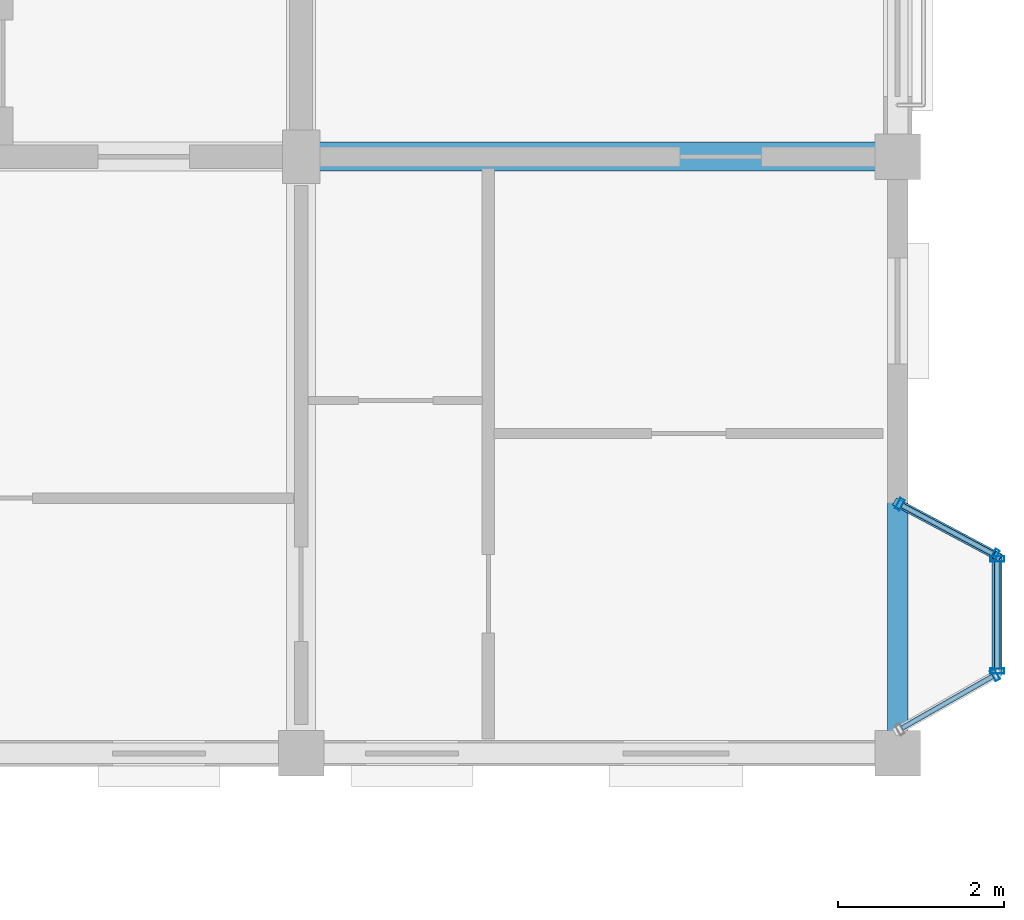
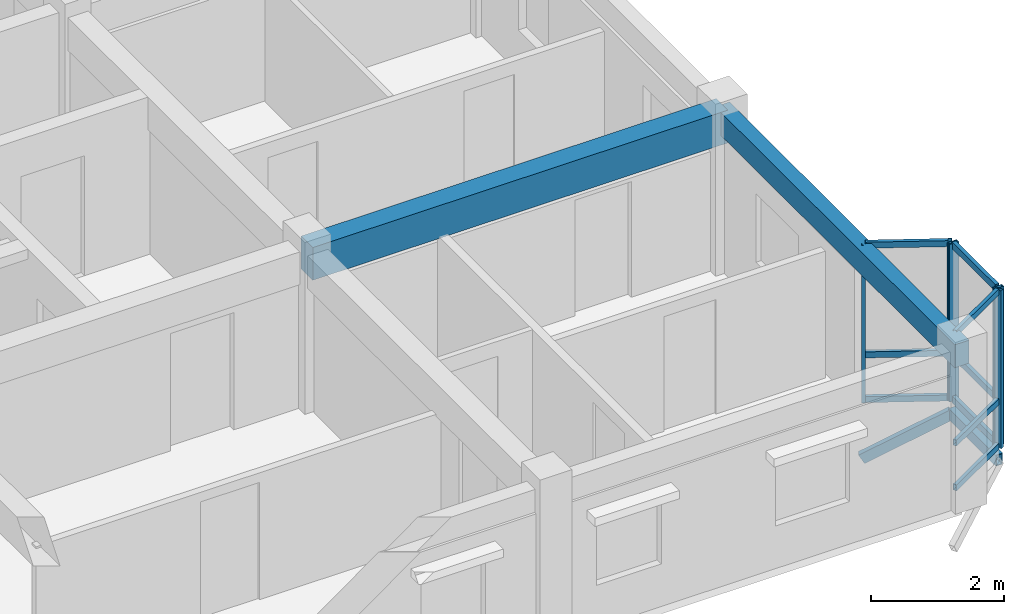
# One storey, part 23 of 75: 16 members, 2 beams, 3 elements without a shape of their own.
"""IFC4 building model written with IfcOpenShell, lengths in metres."""

from ifc_helpers import new_model, si_unit, direction, frame, origin, origin_2d, place, context, subcontext, project, spatial, rectangle, hollow_rectangle, extrude, material, layer, layer_set, material_profile, profile_set, type_object, element, aggregate, save


model = new_model("IFC4")

# Units and contexts
model_context = context("Model", 3, precision=1e-05, world=origin(), true_north=direction((0.0, 1.0)))
body_context = subcontext(model_context, "Body", "Model", "MODEL_VIEW")
ifc_project = project(units=[si_unit("LENGTHUNIT", "METRE"), si_unit("AREAUNIT", "SQUARE_METRE"), si_unit("VOLUMEUNIT", "CUBIC_METRE"), si_unit("PLANEANGLEUNIT", "RADIAN"), si_unit("MASSUNIT", "GRAM", prefix="KILO"), si_unit("THERMODYNAMICTEMPERATUREUNIT", "KELVIN"), si_unit("POWERUNIT", "WATT")], contexts=[model_context])

# Site, building, storey
site_placement = place(None, origin())
site = spatial("IfcSite", under=ifc_project, at=site_placement, CompositionType="ELEMENT")
building_placement = place(site_placement, origin())
building = spatial("IfcBuilding", under=site, at=building_placement, Name="Tavuni Mirador Residences", CompositionType="ELEMENT")
storey_placement = place(building_placement, frame((0.0, 0.0, 20.25)))
storey = spatial("IfcBuildingStorey", under=building, at=storey_placement, Name="L06", CompositionType="ELEMENT", Elevation=20.25)

# Beams
ifc_material_1 = material(Name="Precast concrete C40/50", Category="concrete")
ifc_material_profile_1 = material_profile(ifc_material_1, rectangle(XDim=0.35009765625, YDim=0.60009765625, at=origin_2d()), Name="PC 350x600", Category="concrete")
ifc_profile_set_1 = profile_set([ifc_material_profile_1], Name="Precast concrete C40/50")
beam_type_1 = type_object("IfcBeamType", Name="BT-B600", PredefinedType="BEAM", material=ifc_profile_set_1)
beam_1_placement = place(storey_placement, frame((111.60009765625, 93.60009765625, 2.590087890625), z_axis=(1.0, 0.0, 0.0), x_axis=(0.0, 1.0, 0.0)))
element("IfcBeam", 1, at=beam_1_placement, inside=storey, type_object=beam_type_1, Name="BMX-BLK-D-L06-03-01", PredefinedType="BEAM", context=body_context, shape_type="SweptSolid", body=[
    extrude(rectangle(XDim=0.35009765625, YDim=0.60009765625, at=origin_2d()), origin(), (0.0, 0.0, 1.0), 7.199951171875),
])
ifc_material_profile_2 = material_profile(ifc_material_1, rectangle(XDim=0.25, YDim=0.419921875, at=origin_2d()), Name="PC 250x420", Category="concrete")
ifc_profile_set_2 = profile_set([ifc_material_profile_2], Name="Precast concrete C40/50")
beam_type_2 = type_object("IfcBeamType", Name="BT-SP420", PredefinedType="SPANDREL", material=ifc_profile_set_2)
beam_2_placement = place(storey_placement, frame((118.800048828125, 86.39990234375, 2.679931640625), z_axis=(0.0, 1.0, 0.0), x_axis=(-1.0, 0.0, 0.0)))
element("IfcBeam", 2, at=beam_2_placement, inside=storey, type_object=beam_type_2, Name="BMY-BLK-D-L06-04-00", PredefinedType="SPANDREL", context=body_context, shape_type="SweptSolid", body=[
    extrude(rectangle(XDim=0.25, YDim=0.419921875, at=origin_2d()), origin(), (0.0, 0.0, 1.0), 7.2001953125),
])

# Curtain wall, member
ifc_material_2 = material(Name="Anodised aluminium", Category="aluminium")
ifc_layer_1 = layer(ifc_material_2, 0.175048828125, Name="Anodised aluminium", Category="aluminium")
ifc_layer_set_1 = layer_set([ifc_layer_1], Name="Anodised aluminium")
curtain_wall_type_1 = type_object("IfcCurtainWallType", Name="CWT-MIR-C", PredefinedType="NOTDEFINED", material=ifc_layer_set_1)
curtain_wall_1_placement = place(storey_placement, origin())
curtain_wall_1 = element("IfcCurtainWall", 3, at=curtain_wall_1_placement, inside=storey, type_object=curtain_wall_type_1, Name="CW-MIR-D-E1-L06-M1", PredefinedType="NOTDEFINED")
ifc_material_profile_3 = material_profile(ifc_material_2, hollow_rectangle(XDim=0.06005859375, YDim=0.139892578125, WallThickness=0.00390625, at=origin_2d()), Name="ALU 60x140x4.0", Category="aluminium")
ifc_profile_set_3 = profile_set([ifc_material_profile_3], Name="Anodised aluminium")
member_type_1 = type_object("IfcMemberType", Name="CWM-140", PredefinedType="MULLION", material=ifc_profile_set_3)
member_1_placement = place(storey_placement, frame((119.973876953125, 87.34521484375, 0.0), z_axis=(0.0, 0.0, 1.0), x_axis=(0.868465738194, 0.495749192217, 0.0)))
member_1 = element("IfcMember", 4, at=member_1_placement, type_object=member_type_1, Name="CW-03 mullion 2", PredefinedType="MULLION", context=body_context, shape_type="SweptSolid", body=[
    extrude(hollow_rectangle(XDim=0.06005859375, YDim=0.139892578125, WallThickness=0.00390625, at=origin_2d()), origin(), (0.0, 0.0, 1.0), 2.889892578125),
])

# Curtain wall, members
ifc_layer_2 = layer(ifc_material_2, 0.1650390625, Name="Anodised aluminium", Category="aluminium")
ifc_layer_set_2 = layer_set([ifc_layer_2], Name="Anodised aluminium")
curtain_wall_type_2 = type_object("IfcCurtainWallType", Name="CWT-MIR-A", PredefinedType="NOTDEFINED", material=ifc_layer_set_2)
curtain_wall_2_placement = place(storey_placement, origin())
curtain_wall_2 = element("IfcCurtainWall", 5, at=curtain_wall_2_placement, inside=storey, type_object=curtain_wall_type_2, Name="CW-MIR-D-E1-L06-M2", PredefinedType="NOTDEFINED")
member_2_placement = place(storey_placement, frame((119.9736328125, 88.794189453125, 0.0), z_axis=(0.0, 0.0, 1.0), x_axis=(-0.882352941175, 0.470588235296, 0.0)))
member_2 = element("IfcMember", 6, at=member_2_placement, type_object=member_type_1, Name="CW-01 mullion 1", PredefinedType="MULLION", context=body_context, shape_type="SweptSolid", body=[
    extrude(hollow_rectangle(XDim=0.06005859375, YDim=0.139892578125, WallThickness=0.00390625, at=origin_2d()), origin(), (0.0, 0.0, 1.0), 2.889892578125),
])
member_3_placement = place(storey_placement, frame((118.826416015625, 89.40576171875, 0.0), z_axis=(0.0, 0.0, 1.0), x_axis=(-0.882352941175, 0.470588235296, 0.0)))
member_3 = element("IfcMember", 7, at=member_3_placement, type_object=member_type_1, Name="CW-01 mullion 2", PredefinedType="MULLION", context=body_context, shape_type="SweptSolid", body=[
    extrude(hollow_rectangle(XDim=0.06005859375, YDim=0.139892578125, WallThickness=0.00390625, at=origin_2d()), origin(), (0.0, 0.0, 1.0), 2.889892578125),
])

ifc_layer_3 = layer(ifc_material_2, 0.159912109375, Name="Anodised aluminium", Category="aluminium")
ifc_layer_set_3 = layer_set([ifc_layer_3], Name="Anodised aluminium")
curtain_wall_type_3 = type_object("IfcCurtainWallType", Name="CWT-MIR-D", PredefinedType="NOTDEFINED", material=ifc_layer_set_3)
curtain_wall_3_placement = place(storey_placement, origin())
curtain_wall_3 = element("IfcCurtainWall", 8, at=curtain_wall_3_placement, inside=storey, type_object=curtain_wall_type_3, Name="CW-MIR-D-E1-L06-MF", PredefinedType="NOTDEFINED")
ifc_material_profile_4 = material_profile(ifc_material_2, hollow_rectangle(XDim=0.06494140625, YDim=0.1650390625, WallThickness=0.00439453125, at=origin_2d()), Name="ALU 65x165x4.5", Category="aluminium")
ifc_profile_set_4 = profile_set([ifc_material_profile_4], Name="Anodised aluminium")
member_type_2 = type_object("IfcMemberType", Name="CWM-165", PredefinedType="MULLION", material=ifc_profile_set_4)
member_4_placement = place(storey_placement, frame((120.0, 87.392578125, 0.0), z_axis=(0.0, 0.0, 1.0), x_axis=(0.0, 1.0, 0.0)))
member_4 = element("IfcMember", 9, at=member_4_placement, type_object=member_type_2, Name="CW-04 mullion 1", PredefinedType="MULLION", context=body_context, shape_type="SweptSolid", body=[
    extrude(hollow_rectangle(XDim=0.06494140625, YDim=0.1650390625, WallThickness=0.00439453125, at=origin_2d()), origin(), (0.0, 0.0, 1.0), 2.889892578125),
])
member_5_placement = place(storey_placement, frame((120.0, 88.74755859375, 0.0), z_axis=(0.0, 0.0, 1.0), x_axis=(0.0, 1.0, 0.0)))
member_5 = element("IfcMember", 10, at=member_5_placement, type_object=member_type_2, Name="CW-04 mullion 2", PredefinedType="MULLION", context=body_context, shape_type="SweptSolid", body=[
    extrude(hollow_rectangle(XDim=0.06494140625, YDim=0.1650390625, WallThickness=0.00439453125, at=origin_2d()), origin(), (0.0, 0.0, 1.0), 2.889892578125),
])

# Member
ifc_material_profile_5 = material_profile(ifc_material_2, hollow_rectangle(XDim=0.06005859375, YDim=0.110107421875, WallThickness=0.00390625, at=origin_2d()), Name="ALU 60x110x4.0", Category="aluminium")
ifc_profile_set_5 = profile_set([ifc_material_profile_5], Name="Anodised aluminium")
member_type_3 = type_object("IfcMemberType", Name="CWT-110", PredefinedType="USERDEFINED", material=ifc_profile_set_5)
member_6_placement = place(storey_placement, frame((118.85205078125, 86.704833984375, 0.030029296875), z_axis=(0.868504955205, 0.49568048457, 0.0), x_axis=(-0.49568048457, 0.868504955205, 0.0)))
member_6 = element("IfcMember", 11, at=member_6_placement, type_object=member_type_3, Name="CW-03 transom 1.1", ObjectType="TRANSOM", PredefinedType="USERDEFINED", context=body_context, shape_type="SweptSolid", body=[
    extrude(hollow_rectangle(XDim=0.06005859375, YDim=0.110107421875, WallThickness=0.00390625, at=origin_2d()), origin(), (0.0, 0.0, 1.0), 1.261962890625),
])

member_7_placement = place(storey_placement, frame((118.85205078125, 86.704833984375, 0.85009765625), z_axis=(0.868504955205, 0.49568048457, 0.0), x_axis=(-0.49568048457, 0.868504955205, 0.0)))
member_7 = element("IfcMember", 12, at=member_7_placement, type_object=member_type_3, Name="CW-03 transom 1.2", ObjectType="TRANSOM", PredefinedType="USERDEFINED", context=body_context, shape_type="SweptSolid", body=[
    extrude(hollow_rectangle(XDim=0.06005859375, YDim=0.110107421875, WallThickness=0.00390625, at=origin_2d()), origin(), (0.0, 0.0, 1.0), 1.261962890625),
])

member_8_placement = place(storey_placement, frame((118.85205078125, 86.704833984375, 2.860107421875), z_axis=(0.868504955205, 0.49568048457, 0.0), x_axis=(-0.49568048457, 0.868504955205, 0.0)))
member_8 = element("IfcMember", 13, at=member_8_placement, type_object=member_type_3, Name="CW-03 transom 1.3", ObjectType="TRANSOM", PredefinedType="USERDEFINED", context=body_context, shape_type="SweptSolid", body=[
    extrude(hollow_rectangle(XDim=0.06005859375, YDim=0.110107421875, WallThickness=0.00390625, at=origin_2d()), origin(), (0.0, 0.0, 1.0), 1.261962890625),
])

aggregate(curtain_wall_1, [member_1, member_6, member_7, member_8])

member_9_placement = place(storey_placement, frame((119.947021484375, 88.808349609375, 0.030029296875), z_axis=(-0.882342039492, 0.470608675382, 0.0), x_axis=(-0.470608675382, -0.882342039492, 0.0)))
member_9 = element("IfcMember", 14, at=member_9_placement, type_object=member_type_3, Name="CW-01 transom 1.1", ObjectType="TRANSOM", PredefinedType="USERDEFINED", context=body_context, shape_type="SweptSolid", body=[
    extrude(hollow_rectangle(XDim=0.06005859375, YDim=0.110107421875, WallThickness=0.00390625, at=origin_2d()), origin(), (0.0, 0.0, 1.0), 1.239990234375),
])

member_10_placement = place(storey_placement, frame((119.947021484375, 88.808349609375, 0.85009765625), z_axis=(-0.882342039492, 0.470608675382, 0.0), x_axis=(-0.470608675382, -0.882342039492, 0.0)))
member_10 = element("IfcMember", 15, at=member_10_placement, type_object=member_type_3, Name="CW-01 transom 1.2", ObjectType="TRANSOM", PredefinedType="USERDEFINED", context=body_context, shape_type="SweptSolid", body=[
    extrude(hollow_rectangle(XDim=0.06005859375, YDim=0.110107421875, WallThickness=0.00390625, at=origin_2d()), origin(), (0.0, 0.0, 1.0), 1.239990234375),
])

member_11_placement = place(storey_placement, frame((119.947021484375, 88.808349609375, 2.860107421875), z_axis=(-0.882342039492, 0.470608675382, 0.0), x_axis=(-0.470608675382, -0.882342039492, 0.0)))
member_11 = element("IfcMember", 16, at=member_11_placement, type_object=member_type_3, Name="CW-01 transom 1.3", ObjectType="TRANSOM", PredefinedType="USERDEFINED", context=body_context, shape_type="SweptSolid", body=[
    extrude(hollow_rectangle(XDim=0.06005859375, YDim=0.110107421875, WallThickness=0.00390625, at=origin_2d()), origin(), (0.0, 0.0, 1.0), 1.239990234375),
])

aggregate(curtain_wall_2, [member_2, member_3, member_9, member_10, member_11])

ifc_material_profile_6 = material_profile(ifc_material_2, hollow_rectangle(XDim=0.06494140625, YDim=0.125, WallThickness=0.00439453125, at=origin_2d()), Name="ALU 65x125x4.5", Category="aluminium")
ifc_profile_set_6 = profile_set([ifc_material_profile_6], Name="Anodised aluminium")
member_type_4 = type_object("IfcMemberType", Name="CWT-125", PredefinedType="USERDEFINED", material=ifc_profile_set_6)
member_12_placement = place(storey_placement, frame((120.0, 87.425048828125, 0.032470703125), z_axis=(0.0, 1.0, 0.0), x_axis=(-1.0, 0.0, 0.0)))
member_12 = element("IfcMember", 17, at=member_12_placement, type_object=member_type_4, Name="CW-04 transom 1.1", ObjectType="TRANSOM", PredefinedType="USERDEFINED", context=body_context, shape_type="SweptSolid", body=[
    extrude(hollow_rectangle(XDim=0.06494140625, YDim=0.125, WallThickness=0.00439453125, at=origin_2d()), origin(), (0.0, 0.0, 1.0), 1.2900390625),
])

member_13_placement = place(storey_placement, frame((120.0, 87.425048828125, 0.85009765625), z_axis=(0.0, 1.0, 0.0), x_axis=(-1.0, 0.0, 0.0)))
member_13 = element("IfcMember", 18, at=member_13_placement, type_object=member_type_4, Name="CW-04 transom 1.2", ObjectType="TRANSOM", PredefinedType="USERDEFINED", context=body_context, shape_type="SweptSolid", body=[
    extrude(hollow_rectangle(XDim=0.06494140625, YDim=0.125, WallThickness=0.00439453125, at=origin_2d()), origin(), (0.0, 0.0, 1.0), 1.2900390625),
])

member_14_placement = place(storey_placement, frame((120.0, 87.425048828125, 2.857421875), z_axis=(0.0, 1.0, 0.0), x_axis=(-1.0, 0.0, 0.0)))
member_14 = element("IfcMember", 19, at=member_14_placement, type_object=member_type_4, Name="CW-04 transom 1.3", ObjectType="TRANSOM", PredefinedType="USERDEFINED", context=body_context, shape_type="SweptSolid", body=[
    extrude(hollow_rectangle(XDim=0.06494140625, YDim=0.125, WallThickness=0.00439453125, at=origin_2d()), origin(), (0.0, 0.0, 1.0), 1.2900390625),
])

aggregate(curtain_wall_3, [member_4, member_5, member_12, member_13, member_14])

# Members
ifc_material_3 = material(Name="Structural steel S355", Category="steel")
ifc_material_profile_7 = material_profile(ifc_material_3, hollow_rectangle(XDim=0.10009765625, YDim=0.179931640625, WallThickness=0.008056640625, at=origin_2d()), Name="RHS 180x100x8.0", Category="steel")
ifc_profile_set_7 = profile_set([ifc_material_profile_7], Name="Structural steel S355")
member_type_5 = type_object("IfcMemberType", Name="MT-BR-RHS180", PredefinedType="BRACE", material=ifc_profile_set_7)
member_15_placement = place(storey_placement, frame((118.800048828125, 89.419921875, -1.050048828125), z_axis=(0.762969185555, -0.406865154698, 0.502333323389), x_axis=(0.47054164445, 0.882377788047, 0.0)))
element("IfcMember", 20, at=member_15_placement, inside=storey, type_object=member_type_5, Name="MBRK-MIR-D-E1-L06-2", PredefinedType="BRACE", context=body_context, shape_type="SweptSolid", body=[
    extrude(hollow_rectangle(XDim=0.10009765625, YDim=0.179931640625, WallThickness=0.008056640625, at=origin_2d()), origin(), (0.0, 0.0, 1.0), 1.57275390625),
])
ifc_material_profile_8 = material_profile(ifc_material_3, hollow_rectangle(XDim=0.1201171875, YDim=0.199951171875, WallThickness=0.010009765625, at=origin_2d()), Name="RHS 200x120x10.0", Category="steel")
ifc_profile_set_8 = profile_set([ifc_material_profile_8], Name="Structural steel S355")
member_type_6 = type_object("IfcMemberType", Name="MT-ST-RHS200", PredefinedType="STRUT", material=ifc_profile_set_8)
member_16_placement = place(storey_placement, frame((120.0, 87.360107421875, -0.260009765625), z_axis=(0.0, 1.0, 0.0), x_axis=(-1.0, 0.0, 0.0)))
element("IfcMember", 21, at=member_16_placement, inside=storey, type_object=member_type_6, Name="MRIM-MIR-D-E1-L06", PredefinedType="STRUT", context=body_context, shape_type="SweptSolid", body=[
    extrude(hollow_rectangle(XDim=0.1201171875, YDim=0.199951171875, WallThickness=0.010009765625, at=origin_2d()), origin(), (0.0, 0.0, 1.0), 1.419921875),
])

save(model, "model.ifc")
